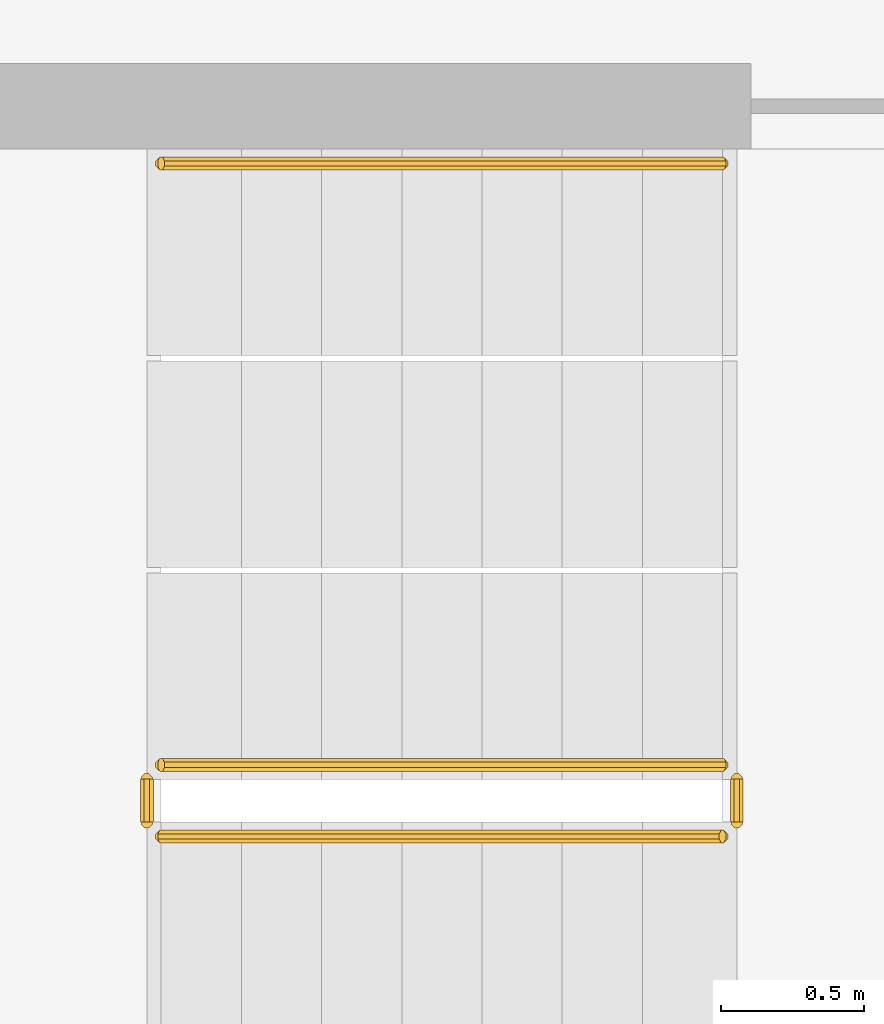
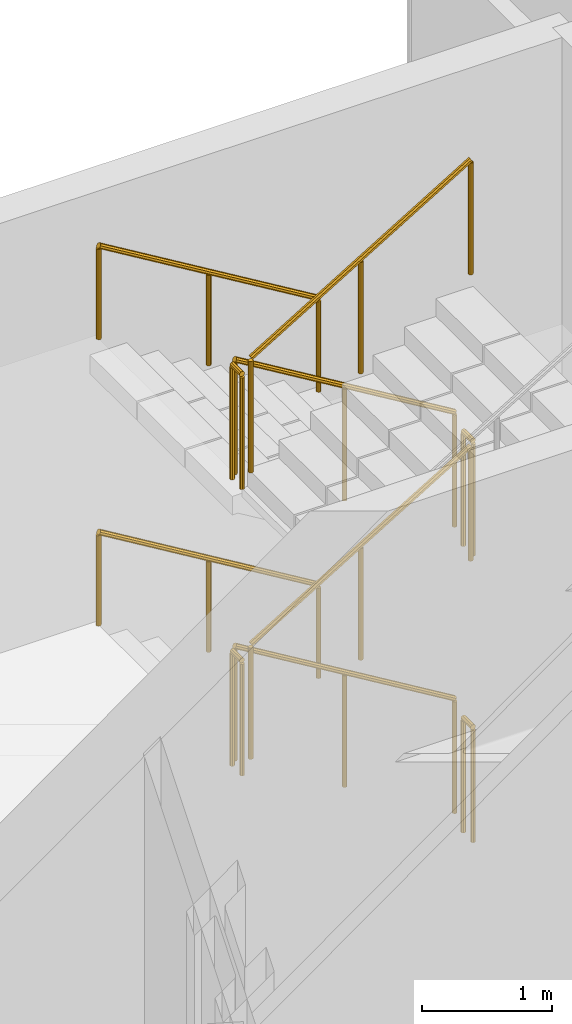
# One storey, part 20 of 30: 10 railings.
"""IFC4 building model written with IfcOpenShell, lengths in metres."""

import ifcopenshell
import ifcopenshell.guid

model = None  # the IFC model being written
_history = None  # IfcOwnerHistory: only IFC2X3 demands one
_inside = {}  # id of a spatial element -> (the spatial element, [elements in it])
_under = {}  # id of a project, library or spatial element -> (it, [spatial elements below it])
_declared = {}  # id of a project -> (the project, [libraries it declares])
_typed = {}  # id of a type object -> (the type object, [elements of that type])
_made_of = {}  # id of a material, layer set ... -> (it, [elements and type objects made of it])


def new_model(schema):
    """Start an empty IFC model of exactly this schema.

    Asked for "IFC4X3", IfcOpenShell would pick the latest addendum, in which some entities
    have other attributes; the version numbers below select the first issue.
    IFC2X3 requires an IfcOwnerHistory on every rooted entity: one is made here for all.
    """
    global model, _history
    if schema == "IFC4X3":
        model = ifcopenshell.file(schema_version=(4, 3, 0, 0))
    else:
        model = ifcopenshell.file(schema=schema)
    _inside.clear()
    _under.clear()
    _declared.clear()
    _typed.clear()
    _made_of.clear()
    _history = None
    if model.schema == "IFC2X3":
        org = make("IfcOrganization", Name="unknown")
        user = make(
            "IfcPersonAndOrganization",
            ThePerson=make("IfcPerson", FamilyName="unknown"),
            TheOrganization=org,
        )
        app = make(
            "IfcApplication",
            ApplicationDeveloper=org,
            Version="unknown",
            ApplicationFullName="unknown",
            ApplicationIdentifier="unknown",
        )
        _history = make(
            "IfcOwnerHistory",
            OwningUser=user,
            OwningApplication=app,
            ChangeAction="ADDED",
            CreationDate=0,
        )
    return model


def make(cls, **values):
    """One entity of the class cls with the attributes given. An attribute that is None is left unset."""
    return model.create_entity(
        cls, **{name: value for name, value in values.items() if value is not None}
    )


def rooted(cls, **values):
    """An entity with a GlobalId (a new one), such as an element, a storey or a relation."""
    return make(cls, GlobalId=ifcopenshell.guid.new(), OwnerHistory=_history, **values)


def si_unit(unit_type, name, prefix=None):
    """IfcSIUnit, for example si_unit("LENGTHUNIT", "METRE", prefix="MILLI")."""
    return make("IfcSIUnit", UnitType=unit_type, Prefix=prefix, Name=name)


def assignment(units):
    """IfcUnitAssignment: the units of a project."""
    return None if units is None else make("IfcUnitAssignment", Units=units)


def point(xyz):
    """IfcCartesianPoint."""
    return None if xyz is None else make("IfcCartesianPoint", Coordinates=xyz)


def direction(xyz):
    """IfcDirection."""
    return None if xyz is None else make("IfcDirection", DirectionRatios=xyz)


def frame(location, z_axis=None, x_axis=None):
    """IfcAxis2Placement3D, a coordinate frame: its origin and axes. An axis left out is left unset."""
    return make(
        "IfcAxis2Placement3D",
        Location=point(location),
        Axis=direction(z_axis),
        RefDirection=direction(x_axis),
    )


def origin():
    """The frame at (0, 0, 0) with its axes left unset."""
    return frame((0.0, 0.0, 0.0))


def place(relative_to, where):
    """IfcLocalPlacement: puts the frame where relative to a parent placement (None: the world)."""
    return make(
        "IfcLocalPlacement", PlacementRelTo=relative_to, RelativePlacement=where
    )


def context(
    kind, dimensions, precision=None, world=None, true_north=None, identifier=None
):
    """IfcGeometricRepresentationContext, for example the 3D "Model" context."""
    return make(
        "IfcGeometricRepresentationContext",
        ContextIdentifier=identifier,
        ContextType=kind,
        CoordinateSpaceDimension=dimensions,
        Precision=precision,
        WorldCoordinateSystem=world,
        TrueNorth=true_north,
    )


def subcontext(parent, identifier, kind, view, scale=None):
    """IfcGeometricRepresentationSubContext, for example "Body" below "Model"."""
    return make(
        "IfcGeometricRepresentationSubContext",
        ContextIdentifier=identifier,
        ContextType=kind,
        ParentContext=parent,
        TargetScale=scale,
        TargetView=view,
    )


def project(units=None, contexts=None):
    """IfcProject with its units and contexts."""
    return rooted(
        "IfcProject",
        Name="project",
        RepresentationContexts=contexts,
        UnitsInContext=assignment(units),
    )


def spatial(cls, under=None, at=None, **own):
    """A site, building, storey or space (cls), placed at a placement, below another one or the project."""
    s = rooted(cls, ObjectPlacement=at, **own)
    if under is not None:
        _under.setdefault(under.id(), (under, []))[1].append(s)
    return s


def polyline(points):
    """IfcPolyline through the points."""
    return make("IfcPolyline", Points=[point(p) for p in points])


def outline(outer, holes=None, kind="AREA"):
    """IfcArbitraryClosedProfileDef: a profile drawn as a closed curve; with holes, ...WithVoids."""
    if holes is None:
        return make("IfcArbitraryClosedProfileDef", ProfileType=kind, OuterCurve=outer)
    return make(
        "IfcArbitraryProfileDefWithVoids",
        ProfileType=kind,
        OuterCurve=outer,
        InnerCurves=holes,
    )


def extrude(swept, where, along, depth):
    """IfcExtrudedAreaSolid: the profile swept, set in the frame where, extruded along a direction by depth."""
    return make(
        "IfcExtrudedAreaSolid",
        SweptArea=swept,
        Position=where,
        ExtrudedDirection=direction(along),
        Depth=depth,
    )


def shape(context_of_items, identifier, shape_type, items):
    """IfcShapeRepresentation: the items that make up one representation, for example the "Body"."""
    return make(
        "IfcShapeRepresentation",
        ContextOfItems=context_of_items,
        RepresentationIdentifier=identifier,
        RepresentationType=shape_type,
        Items=items,
    )


def material(Name=None, Category=None):
    """IfcMaterial."""
    return make("IfcMaterial", Name=Name, Category=Category)


def made_of(thing, what):
    """Note that an element or type object is made of a material, layer set ...; save() writes the relation."""
    if what is not None:
        _made_of.setdefault(what.id(), (what, []))[1].append(thing)
    return thing


def type_object(cls, material=None, **own):
    """A type object (cls), such as IfcWallType, which elements share."""
    return made_of(rooted(cls, **own), material)


def element(
    cls,
    number,
    at=None,
    inside=None,
    cuts=None,
    type_object=None,
    material=None,
    context=None,
    identifier="Body",
    shape_type=None,
    held_by="IfcProductDefinitionShape",
    body=None,
    shapes=None,
    **own,
):
    """One element of the class cls, such as IfcWall. Its Tag is "e" and its number.

    at: its placement. inside: the storey or other place that contains it. cuts: it is an
    opening in that element (IfcRelVoidsElement). A single representation is given by context,
    identifier, shape_type and body (its items); several are given by shapes. held_by: the class
    of the entity that holds the representations. save() writes the other relations.
    """
    e = rooted(cls, Tag="e%d" % number, ObjectPlacement=at, **own)
    if body is not None:
        shapes = [shape(context, identifier, shape_type, body)]
    if shapes is not None:
        e.Representation = make(held_by, Representations=shapes)
    if inside is not None:
        _inside.setdefault(inside.id(), (inside, []))[1].append(e)
    if cuts is not None:
        rooted(
            "IfcRelVoidsElement", RelatingBuildingElement=cuts, RelatedOpeningElement=e
        )
    if type_object is not None:
        _typed.setdefault(type_object.id(), (type_object, []))[1].append(e)
    return made_of(e, material)


def aggregate(whole, parts):
    """IfcRelAggregates: a whole, such as a stair, and the parts it consists of."""
    return rooted("IfcRelAggregates", RelatingObject=whole, RelatedObjects=parts)


def save(model, path):
    """Write the relations noted so far, then the file.

    IfcRelAggregates (storeys below a building ...), IfcRelContainedInSpatialStructure (elements
    in a storey), IfcRelDefinesByType, IfcRelAssociatesMaterial and IfcRelDeclares: one each for
    every whole, place, type object, material and project.
    """
    for whole, parts in _under.values():
        aggregate(whole, parts)
    for where, things in _inside.values():
        rooted(
            "IfcRelContainedInSpatialStructure",
            RelatedElements=things,
            RelatingStructure=where,
        )
    for kind, things in _typed.values():
        rooted("IfcRelDefinesByType", RelatedObjects=things, RelatingType=kind)
    for what, things in _made_of.values():
        rooted("IfcRelAssociatesMaterial", RelatedObjects=things, RelatingMaterial=what)
    for by, libraries in _declared.values():
        rooted("IfcRelDeclares", RelatingContext=by, RelatedDefinitions=libraries)
    model.write(path)


model = new_model("IFC4")

# Units and contexts
model_context = context("Model", 3, precision=1e-05, world=origin(), true_north=direction((0.0, 1.0)))
body_context = subcontext(model_context, "Body", "Model", "MODEL_VIEW")
ifc_project = project(units=[si_unit("LENGTHUNIT", "METRE"), si_unit("AREAUNIT", "SQUARE_METRE"), si_unit("VOLUMEUNIT", "CUBIC_METRE"), si_unit("PLANEANGLEUNIT", "RADIAN"), si_unit("MASSUNIT", "GRAM", prefix="KILO")], contexts=[model_context])

# Site, building, storey
site_placement = place(None, origin())
site = spatial("IfcSite", under=ifc_project, at=site_placement, CompositionType="ELEMENT")
building_placement = place(site_placement, origin())
building = spatial("IfcBuilding", under=site, at=building_placement, Name="Cormorant Relay Tower", CompositionType="ELEMENT")
storey_placement = place(building_placement, frame((0.0, 0.0, 55.39990234375)))
storey = spatial("IfcBuildingStorey", under=building, at=storey_placement, Name="L10", CompositionType="ELEMENT", Elevation=55.39990234375)

# Railings
ifc_material_1 = material(Name="Steel ASTM A572 Grade 50 (Fy 345 MPa)", Category="steel")
railing_type_1 = type_object("IfcRailingType", Name="Stair guard 1100", PredefinedType="GUARDRAIL", material=ifc_material_1)
railing_1_placement = place(storey_placement, frame((1.60009765625, -18.27490234375, 0.1689453125)))
element("IfcRailing", 1, at=railing_1_placement, inside=storey, type_object=railing_type_1, Name="L10 RK1 stair guard 1", PredefinedType="GUARDRAIL", context=body_context, shape_type="SweptSolid", body=[
    extrude(outline(polyline([(0.022216796875, 0.00927734375), (0.00927734375, 0.022216796875), (-0.00927734375, 0.022216796875), (-0.022216796875, 0.00927734375), (-0.022216796875, -0.00927734375), (-0.00927734375, -0.022216796875), (0.00927734375, -0.022216796875), (0.022216796875, -0.00927734375), (0.022216796875, 0.00927734375)])), frame((0.0, 0.0, 1.076171875), z_axis=(-0.856521883693, 0.0, 0.516110707847), x_axis=(0.0, -1.0, 0.0)), (0.0, 0.0, 1.0), 2.28857421875),
    extrude(outline(polyline([(0.019287109375, 0.008056640625), (0.008056640625, 0.019287109375), (-0.008056640625, 0.019287109375), (-0.019287109375, 0.008056640625), (-0.019287109375, -0.008056640625), (-0.008056640625, -0.019287109375), (0.008056640625, -0.019287109375), (0.019287109375, -0.008056640625), (0.019287109375, 0.008056640625)])), origin(), (0.0, 0.0, 1.0), 1.052001953125),
    extrude(outline(polyline([(0.019287109375, 0.008056640625), (0.008056640625, 0.019287109375), (-0.008056640625, 0.019287109375), (-0.019287109375, 0.008056640625), (-0.019287109375, -0.008056640625), (-0.008056640625, -0.019287109375), (0.008056640625, -0.019287109375), (0.019287109375, -0.008056640625), (0.019287109375, 0.008056640625)])), frame((-0.97998046875, 0.0, 0.590576171875)), (0.0, 0.0, 1.0), 1.052001953125),
    extrude(outline(polyline([(0.019287109375, 0.008056640625), (0.008056640625, 0.019287109375), (-0.008056640625, 0.019287109375), (-0.019287109375, 0.008056640625), (-0.019287109375, -0.008056640625), (-0.008056640625, -0.019287109375), (0.008056640625, -0.019287109375), (0.019287109375, -0.008056640625), (0.019287109375, 0.008056640625)])), frame((-1.960205078125, 0.0, 1.18115234375)), (0.0, 0.0, 1.0), 1.052001953125),
])
railing_2_placement = place(storey_placement, frame((-0.409912109375, -18.324951171875, 1.35009765625)))
element("IfcRailing", 2, at=railing_2_placement, inside=storey, type_object=railing_type_1, Name="L10 RK1 stair guard 2", PredefinedType="GUARDRAIL", context=body_context, shape_type="SweptSolid", body=[
    extrude(outline(polyline([(0.022216796875, 0.00927734375), (0.00927734375, 0.022216796875), (-0.00927734375, 0.022216796875), (-0.022216796875, 0.00927734375), (-0.022216796875, -0.00927734375), (-0.00927734375, -0.022216796875), (0.00927734375, -0.022216796875), (0.022216796875, -0.00927734375), (0.022216796875, 0.00927734375)])), frame((0.0, 0.0, 1.076171875), z_axis=(0.0, -1.0, 0.0), x_axis=(1.0, 0.0, 0.0)), (0.0, 0.0, 1.0), 0.150146484375),
    extrude(outline(polyline([(0.019287109375, 0.008056640625), (0.008056640625, 0.019287109375), (-0.008056640625, 0.019287109375), (-0.019287109375, 0.008056640625), (-0.019287109375, -0.008056640625), (-0.008056640625, -0.019287109375), (0.008056640625, -0.019287109375), (0.019287109375, -0.008056640625), (0.019287109375, 0.008056640625)])), origin(), (0.0, 0.0, 1.0), 1.052001953125),
    extrude(outline(polyline([(0.019287109375, 0.008056640625), (0.008056640625, 0.019287109375), (-0.008056640625, 0.019287109375), (-0.019287109375, 0.008056640625), (-0.019287109375, -0.008056640625), (-0.008056640625, -0.019287109375), (0.008056640625, -0.019287109375), (0.019287109375, -0.008056640625), (0.019287109375, 0.008056640625)])), frame((0.0, -0.150146484375, 0.0)), (0.0, 0.0, 1.0), 1.052001953125),
])
railing_3_placement = place(storey_placement, frame((-0.360107421875, -18.52490234375, 1.518798828125)))
element("IfcRailing", 3, at=railing_3_placement, inside=storey, type_object=railing_type_1, Name="L10 RK1 stair guard 3", PredefinedType="GUARDRAIL", context=body_context, shape_type="SweptSolid", body=[
    extrude(outline(polyline([(0.022216796875, 0.00927734375), (0.00927734375, 0.022216796875), (-0.00927734375, 0.022216796875), (-0.022216796875, 0.00927734375), (-0.022216796875, -0.00927734375), (-0.00927734375, -0.022216796875), (0.00927734375, -0.022216796875), (0.022216796875, -0.00927734375), (0.022216796875, 0.00927734375)])), frame((0.0, 0.0, 1.076171875), z_axis=(0.856474724393, 0.0, 0.516188963923), x_axis=(0.0, 1.0, 0.0)), (0.0, 0.0, 1.0), 2.28857421875),
    extrude(outline(polyline([(0.019287109375, 0.008056640625), (0.008056640625, 0.019287109375), (-0.008056640625, 0.019287109375), (-0.019287109375, 0.008056640625), (-0.019287109375, -0.008056640625), (-0.008056640625, -0.019287109375), (0.008056640625, -0.019287109375), (0.019287109375, -0.008056640625), (0.019287109375, 0.008056640625)])), origin(), (0.0, 0.0, 1.0), 1.052001953125),
    extrude(outline(polyline([(0.019287109375, 0.008056640625), (0.008056640625, 0.019287109375), (-0.008056640625, 0.019287109375), (-0.019287109375, 0.008056640625), (-0.019287109375, -0.008056640625), (-0.008056640625, -0.019287109375), (0.008056640625, -0.019287109375), (0.019287109375, -0.008056640625), (0.019287109375, 0.008056640625)])), frame((0.97998046875, 0.0, 0.5908203125)), (0.0, 0.0, 1.0), 1.052001953125),
    extrude(outline(polyline([(0.019287109375, 0.008056640625), (0.008056640625, 0.019287109375), (-0.008056640625, 0.019287109375), (-0.019287109375, 0.008056640625), (-0.019287109375, -0.008056640625), (-0.008056640625, -0.019287109375), (0.008056640625, -0.019287109375), (0.019287109375, -0.008056640625), (0.019287109375, 0.008056640625)])), frame((1.960205078125, 0.0, 1.181396484375)), (0.0, 0.0, 1.0), 1.052001953125),
])
railing_4_placement = place(storey_placement, frame((1.64990234375, -18.324951171875, 2.7001953125)))
element("IfcRailing", 4, at=railing_4_placement, inside=storey, type_object=railing_type_1, Name="L10 RK1 stair guard 4", PredefinedType="GUARDRAIL", context=body_context, shape_type="SweptSolid", body=[
    extrude(outline(polyline([(0.022216796875, 0.00927734375), (0.00927734375, 0.022216796875), (-0.00927734375, 0.022216796875), (-0.022216796875, 0.00927734375), (-0.022216796875, -0.00927734375), (-0.00927734375, -0.022216796875), (0.00927734375, -0.022216796875), (0.022216796875, -0.00927734375), (0.022216796875, 0.00927734375)])), frame((0.0, 0.0, 1.076171875), z_axis=(0.0, -1.0, 0.0), x_axis=(1.0, 0.0, 0.0)), (0.0, 0.0, 1.0), 0.150146484375),
    extrude(outline(polyline([(0.019287109375, 0.008056640625), (0.008056640625, 0.019287109375), (-0.008056640625, 0.019287109375), (-0.019287109375, 0.008056640625), (-0.019287109375, -0.008056640625), (-0.008056640625, -0.019287109375), (0.008056640625, -0.019287109375), (0.019287109375, -0.008056640625), (0.019287109375, 0.008056640625)])), origin(), (0.0, 0.0, 1.0), 1.052001953125),
    extrude(outline(polyline([(0.019287109375, 0.008056640625), (0.008056640625, 0.019287109375), (-0.008056640625, 0.019287109375), (-0.019287109375, 0.008056640625), (-0.019287109375, -0.008056640625), (-0.008056640625, -0.019287109375), (0.008056640625, -0.019287109375), (0.019287109375, -0.008056640625), (0.019287109375, 0.008056640625)])), frame((0.0, -0.150146484375, 0.0)), (0.0, 0.0, 1.0), 1.052001953125),
])
railing_5_placement = place(storey_placement, frame((1.60009765625, -18.27490234375, 2.868896484375)))
element("IfcRailing", 5, at=railing_5_placement, inside=storey, type_object=railing_type_1, Name="L10 RK1 stair guard 5", PredefinedType="GUARDRAIL", context=body_context, shape_type="SweptSolid", body=[
    extrude(outline(polyline([(0.022216796875, 0.00927734375), (0.00927734375, 0.022216796875), (-0.00927734375, 0.022216796875), (-0.022216796875, 0.00927734375), (-0.022216796875, -0.00927734375), (-0.00927734375, -0.022216796875), (0.00927734375, -0.022216796875), (0.022216796875, -0.00927734375), (0.022216796875, 0.00927734375)])), frame((0.0, 0.0, 1.076171875), z_axis=(-0.856521883693, 0.0, 0.516110707847), x_axis=(0.0, -1.0, 0.0)), (0.0, 0.0, 1.0), 2.28857421875),
    extrude(outline(polyline([(0.019287109375, 0.008056640625), (0.008056640625, 0.019287109375), (-0.008056640625, 0.019287109375), (-0.019287109375, 0.008056640625), (-0.019287109375, -0.008056640625), (-0.008056640625, -0.019287109375), (0.008056640625, -0.019287109375), (0.019287109375, -0.008056640625), (0.019287109375, 0.008056640625)])), origin(), (0.0, 0.0, 1.0), 1.052001953125),
    extrude(outline(polyline([(0.019287109375, 0.008056640625), (0.008056640625, 0.019287109375), (-0.008056640625, 0.019287109375), (-0.019287109375, 0.008056640625), (-0.019287109375, -0.008056640625), (-0.008056640625, -0.019287109375), (0.008056640625, -0.019287109375), (0.019287109375, -0.008056640625), (0.019287109375, 0.008056640625)])), frame((-0.97998046875, 0.0, 0.590576171875)), (0.0, 0.0, 1.0), 1.052001953125),
    extrude(outline(polyline([(0.019287109375, 0.008056640625), (0.008056640625, 0.019287109375), (-0.008056640625, 0.019287109375), (-0.019287109375, 0.008056640625), (-0.019287109375, -0.008056640625), (-0.008056640625, -0.019287109375), (0.008056640625, -0.019287109375), (0.019287109375, -0.008056640625), (0.019287109375, 0.008056640625)])), frame((-1.960205078125, 0.0, 1.18115234375)), (0.0, 0.0, 1.0), 1.052001953125),
])
railing_6_placement = place(storey_placement, frame((-0.409912109375, -18.324951171875, 4.050048828125)))
element("IfcRailing", 6, at=railing_6_placement, inside=storey, type_object=railing_type_1, Name="L10 RK1 stair guard 6", PredefinedType="GUARDRAIL", context=body_context, shape_type="SweptSolid", body=[
    extrude(outline(polyline([(0.022216796875, 0.00927734375), (0.00927734375, 0.022216796875), (-0.00927734375, 0.022216796875), (-0.022216796875, 0.00927734375), (-0.022216796875, -0.00927734375), (-0.00927734375, -0.022216796875), (0.00927734375, -0.022216796875), (0.022216796875, -0.00927734375), (0.022216796875, 0.00927734375)])), frame((0.0, 0.0, 1.076171875), z_axis=(0.0, -1.0, 0.0), x_axis=(1.0, 0.0, 0.0)), (0.0, 0.0, 1.0), 0.150146484375),
    extrude(outline(polyline([(0.019287109375, 0.008056640625), (0.008056640625, 0.019287109375), (-0.008056640625, 0.019287109375), (-0.019287109375, 0.008056640625), (-0.019287109375, -0.008056640625), (-0.008056640625, -0.019287109375), (0.008056640625, -0.019287109375), (0.019287109375, -0.008056640625), (0.019287109375, 0.008056640625)])), origin(), (0.0, 0.0, 1.0), 1.052001953125),
    extrude(outline(polyline([(0.019287109375, 0.008056640625), (0.008056640625, 0.019287109375), (-0.008056640625, 0.019287109375), (-0.019287109375, 0.008056640625), (-0.019287109375, -0.008056640625), (-0.008056640625, -0.019287109375), (0.008056640625, -0.019287109375), (0.019287109375, -0.008056640625), (0.019287109375, 0.008056640625)])), frame((0.0, -0.150146484375, 0.0)), (0.0, 0.0, 1.0), 1.052001953125),
])
railing_7_placement = place(storey_placement, frame((-0.360107421875, -18.52490234375, 4.21875)))
element("IfcRailing", 7, at=railing_7_placement, inside=storey, type_object=railing_type_1, Name="L10 RK1 stair guard 7", PredefinedType="GUARDRAIL", context=body_context, shape_type="SweptSolid", body=[
    extrude(outline(polyline([(0.022216796875, 0.00927734375), (0.00927734375, 0.022216796875), (-0.00927734375, 0.022216796875), (-0.022216796875, 0.00927734375), (-0.022216796875, -0.00927734375), (-0.00927734375, -0.022216796875), (0.00927734375, -0.022216796875), (0.022216796875, -0.00927734375), (0.022216796875, 0.00927734375)])), frame((0.0, 0.0, 1.076171875), z_axis=(0.856474724393, 0.0, 0.516188963923), x_axis=(0.0, 1.0, 0.0)), (0.0, 0.0, 1.0), 2.28857421875),
    extrude(outline(polyline([(0.019287109375, 0.008056640625), (0.008056640625, 0.019287109375), (-0.008056640625, 0.019287109375), (-0.019287109375, 0.008056640625), (-0.019287109375, -0.008056640625), (-0.008056640625, -0.019287109375), (0.008056640625, -0.019287109375), (0.019287109375, -0.008056640625), (0.019287109375, 0.008056640625)])), origin(), (0.0, 0.0, 1.0), 1.052001953125),
    extrude(outline(polyline([(0.019287109375, 0.008056640625), (0.008056640625, 0.019287109375), (-0.008056640625, 0.019287109375), (-0.019287109375, 0.008056640625), (-0.019287109375, -0.008056640625), (-0.008056640625, -0.019287109375), (0.008056640625, -0.019287109375), (0.019287109375, -0.008056640625), (0.019287109375, 0.008056640625)])), frame((0.97998046875, 0.0, 0.5908203125)), (0.0, 0.0, 1.0), 1.052001953125),
    extrude(outline(polyline([(0.019287109375, 0.008056640625), (0.008056640625, 0.019287109375), (-0.008056640625, 0.019287109375), (-0.019287109375, 0.008056640625), (-0.019287109375, -0.008056640625), (-0.008056640625, -0.019287109375), (0.008056640625, -0.019287109375), (0.019287109375, -0.008056640625), (0.019287109375, 0.008056640625)])), frame((1.960205078125, 0.0, 1.181396484375)), (0.0, 0.0, 1.0), 1.052001953125),
])
railing_8_placement = place(storey_placement, frame((1.64990234375, -18.324951171875, 0.0)))
element("IfcRailing", 8, at=railing_8_placement, inside=storey, type_object=railing_type_1, Name="L10 RK1 stair guard 8", PredefinedType="GUARDRAIL", context=body_context, shape_type="SweptSolid", body=[
    extrude(outline(polyline([(0.022216796875, 0.00927734375), (0.00927734375, 0.022216796875), (-0.00927734375, 0.022216796875), (-0.022216796875, 0.00927734375), (-0.022216796875, -0.00927734375), (-0.00927734375, -0.022216796875), (0.00927734375, -0.022216796875), (0.022216796875, -0.00927734375), (0.022216796875, 0.00927734375)])), frame((0.0, 0.0, 1.076171875), z_axis=(0.0, -1.0, 0.0), x_axis=(1.0, 0.0, 0.0)), (0.0, 0.0, 1.0), 0.150146484375),
    extrude(outline(polyline([(0.019287109375, 0.008056640625), (0.008056640625, 0.019287109375), (-0.008056640625, 0.019287109375), (-0.019287109375, 0.008056640625), (-0.019287109375, -0.008056640625), (-0.008056640625, -0.019287109375), (0.008056640625, -0.019287109375), (0.019287109375, -0.008056640625), (0.019287109375, 0.008056640625)])), origin(), (0.0, 0.0, 1.0), 1.052001953125),
    extrude(outline(polyline([(0.019287109375, 0.008056640625), (0.008056640625, 0.019287109375), (-0.008056640625, 0.019287109375), (-0.019287109375, 0.008056640625), (-0.019287109375, -0.008056640625), (-0.008056640625, -0.019287109375), (0.008056640625, -0.019287109375), (0.019287109375, -0.008056640625), (0.019287109375, 0.008056640625)])), frame((0.0, -0.150146484375, 0.0)), (0.0, 0.0, 1.0), 1.052001953125),
])
ifc_material_2 = material(Name="Steel ASTM A572 Grade 50 (Fy 345 MPa)", Category="steel")
railing_type_2 = type_object("IfcRailingType", Name="Stair handrail 900", PredefinedType="HANDRAIL", material=ifc_material_2)
for number, where, name in (
    (9, (1.60009765625, -16.175048828125, 0.1689453125), "L10 RK1 stair handrail 1"),
    (10, (1.60009765625, -16.175048828125, 2.868896484375), "L10 RK1 stair handrail 3"),
):
    element("IfcRailing", number, at=place(storey_placement, frame(where)), inside=storey, type_object=railing_type_2, Name=name, PredefinedType="HANDRAIL", context=body_context, shape_type="SweptSolid", body=[
        extrude(outline(polyline([(0.022216796875, 0.00927734375), (0.00927734375, 0.022216796875), (-0.00927734375, 0.022216796875), (-0.022216796875, 0.00927734375), (-0.022216796875, -0.00927734375), (-0.00927734375, -0.022216796875), (0.00927734375, -0.022216796875), (0.022216796875, -0.00927734375), (0.022216796875, 0.00927734375)])), frame((0.0, 0.0, 0.8759765625), z_axis=(-0.856521883693, 0.0, 0.516110707847), x_axis=(0.0, -1.0, 0.0)), (0.0, 0.0, 1.0), 2.28857421875),
        extrude(outline(polyline([(0.019287109375, 0.008056640625), (0.008056640625, 0.019287109375), (-0.008056640625, 0.019287109375), (-0.019287109375, 0.008056640625), (-0.019287109375, -0.008056640625), (-0.008056640625, -0.019287109375), (0.008056640625, -0.019287109375), (0.019287109375, -0.008056640625), (0.019287109375, 0.008056640625)])), origin(), (0.0, 0.0, 1.0), 0.851806640625),
        extrude(outline(polyline([(0.019287109375, 0.008056640625), (0.008056640625, 0.019287109375), (-0.008056640625, 0.019287109375), (-0.019287109375, 0.008056640625), (-0.019287109375, -0.008056640625), (-0.008056640625, -0.019287109375), (0.008056640625, -0.019287109375), (0.019287109375, -0.008056640625), (0.019287109375, 0.008056640625)])), frame((-0.97998046875, 0.0, 0.590576171875)), (0.0, 0.0, 1.0), 0.851806640625),
        extrude(outline(polyline([(0.019287109375, 0.008056640625), (0.008056640625, 0.019287109375), (-0.008056640625, 0.019287109375), (-0.019287109375, 0.008056640625), (-0.019287109375, -0.008056640625), (-0.008056640625, -0.019287109375), (0.008056640625, -0.019287109375), (0.019287109375, -0.008056640625), (0.019287109375, 0.008056640625)])), frame((-1.960205078125, 0.0, 1.18115234375)), (0.0, 0.0, 1.0), 0.851806640625),
    ])

save(model, "model.ifc")
